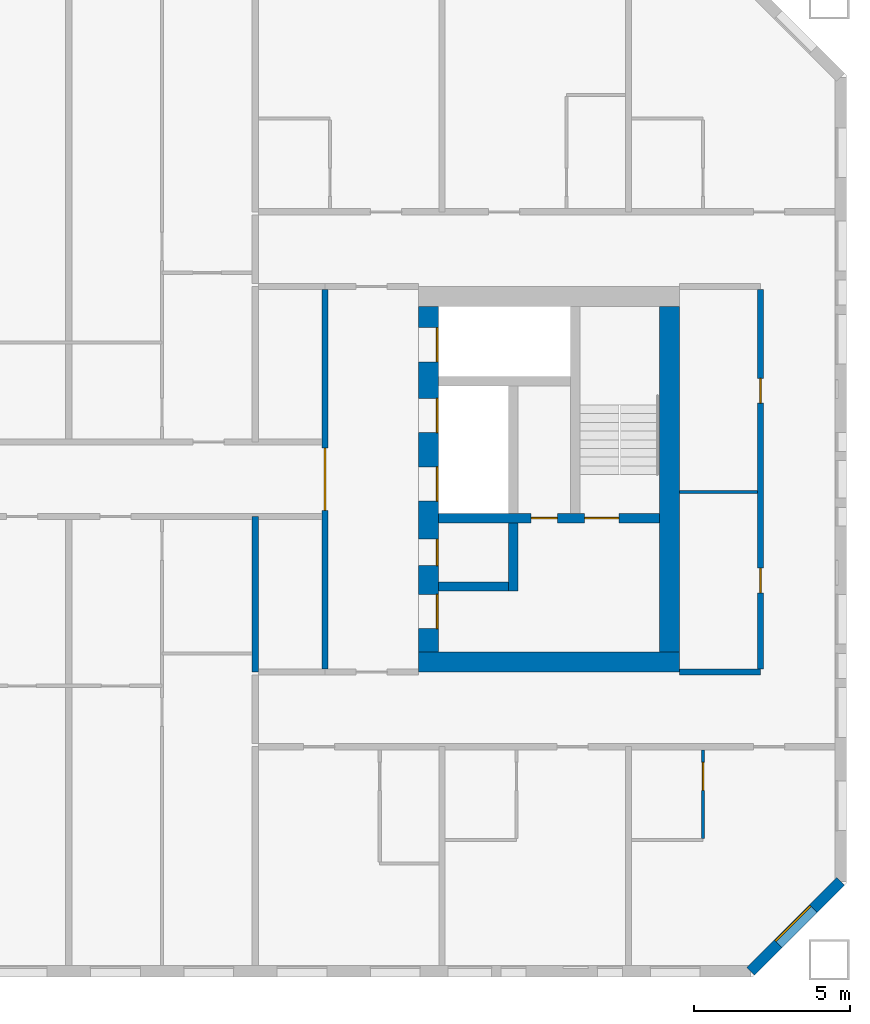
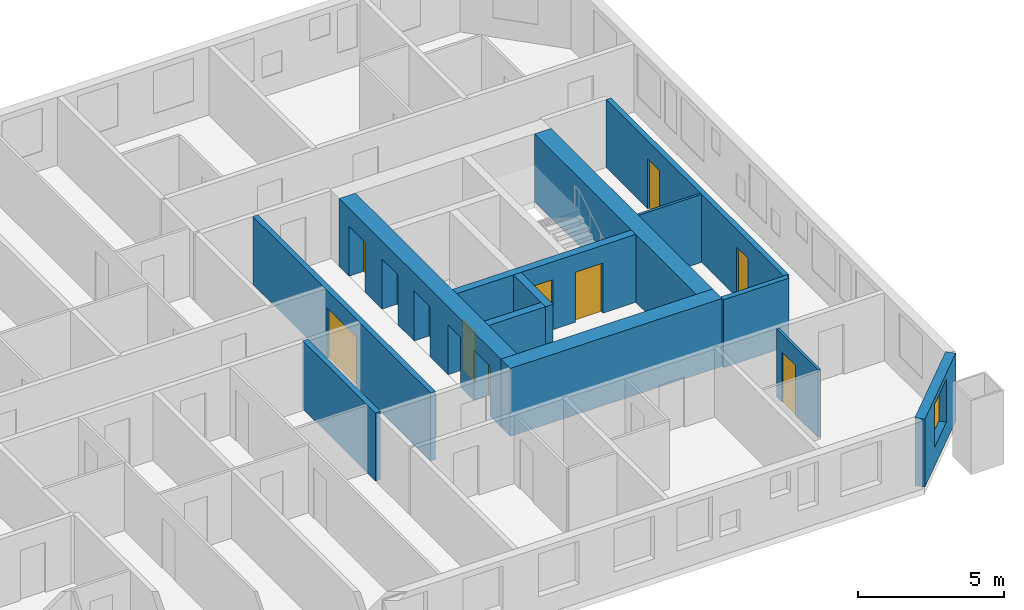
# One storey, part 13 of 17: 13 walls, 11 doors, 1 window, 12 openings.
"""IFC4 building model written with IfcOpenShell, lengths in metres."""

from ifc_helpers import new_model, si_unit, direction, frame, frame_2d, origin, place, context, subcontext, project, spatial, rectangle, extrude, material, layer, layer_set, type_object, element, fill, save


model = new_model("IFC4")

# Units and contexts
model_context = context("Model", 3, precision=1e-05, world=origin(), true_north=direction((0.0, 1.0)))
body_context = subcontext(model_context, "Body", "Model", "MODEL_VIEW")
ifc_project = project(units=[si_unit("LENGTHUNIT", "METRE"), si_unit("AREAUNIT", "SQUARE_METRE"), si_unit("VOLUMEUNIT", "CUBIC_METRE"), si_unit("PLANEANGLEUNIT", "RADIAN"), si_unit("MASSUNIT", "GRAM", prefix="KILO")], contexts=[model_context])

# Site, building, storey
site_placement = place(None, origin())
site = spatial("IfcSite", under=ifc_project, at=site_placement, CompositionType="ELEMENT")
building_placement = place(site_placement, origin())
building = spatial("IfcBuilding", under=site, at=building_placement, Name="Tuart Gate Housing", CompositionType="ELEMENT")
storey_placement = place(building_placement, frame((0.0, 0.0, 102.60009765625)))
storey = spatial("IfcBuildingStorey", under=building, at=storey_placement, Name="L28", CompositionType="ELEMENT", Elevation=102.60009765625)

# Wall, opening, window
ifc_material_1 = material(Name="Brick", Category="masonry")
ifc_layer_1 = layer(ifc_material_1, 0.360107421875)
ifc_layer_set_1 = layer_set([ifc_layer_1], Name="Brick pier and spandrel wall 360")
wall_type_1 = type_object("IfcWallType", Name="Brick pier and spandrel wall 360", PredefinedType="STANDARD", material=ifc_layer_set_1)
wall_1_placement = place(storey_placement, frame((170.92529296875, 54.179931640625, 0.0), z_axis=(0.0, 0.0, 1.0), x_axis=(0.707106781187, 0.707106781187, 0.0)))
wall_1 = element("IfcWall", 1, at=wall_1_placement, inside=storey, type_object=wall_type_1, Name="External wall B-SE L28", PredefinedType="STANDARD", context=body_context, shape_type="SweptSolid", body=[
    extrude(rectangle(XDim=4.09375, YDim=0.360107421875, at=frame_2d((2.046875, 0.0))), origin(), (0.0, 0.0, 1.0), 2.849853515625),
])
opening_1_placement = place(wall_1_placement, frame((1.2470703125, 0.0, 0.800048828125)))
opening_1 = element("IfcOpeningElement", 2, at=opening_1_placement, cuts=wall_1, Name="Opening W1", PredefinedType="OPENING", context=body_context, shape_type="SweptSolid", body=[
    extrude(rectangle(XDim=1.60009765625, YDim=1.800048828125, at=frame_2d((0.800048828125, 0.89990234375))), frame((0.0, 0.18994140625, 0.0), z_axis=(0.0, -1.0, 0.0), x_axis=(1.0, 0.0, 0.0)), (0.0, 0.0, 1.0), 0.380126953125),
])
ifc_material_2 = material(Name="Aluminium frame with clear glass", Category="aluminium")
window_type = type_object("IfcWindowType", Name="Punched window 1600 x 1800", PartitioningType="SINGLE_PANEL", PredefinedType="WINDOW", material=ifc_material_2)
window_placement = place(opening_1_placement, origin())
window = element("IfcWindow", 3, at=window_placement, inside=storey, type_object=window_type, Name="Window W1", OverallHeight=1.800048828125, OverallWidth=1.60009765625, PartitioningType="SINGLE_PANEL", PredefinedType="WINDOW", context=body_context, shape_type="SweptSolid", body=[
    extrude(rectangle(XDim=1.60009765625, YDim=1.800048828125, at=frame_2d((0.800048828125, 0.89990234375))), frame((0.0, 0.150146484375, 0.0), z_axis=(0.0, -1.0, 0.0), x_axis=(1.0, 0.0, 0.0)), (0.0, 0.0, 1.0), 0.06005859375),
])
fill(opening_1, window)

# Wall, openings, doors
ifc_material_3 = material(Name="Concrete C50", Category="concrete")
ifc_layer_2 = layer(ifc_material_3, 0.300048828125)
ifc_layer_set_2 = layer_set([ifc_layer_2], Name="Core wall 300 C50")
wall_type_2 = type_object("IfcWallType", Name="Core wall 300 C50", PredefinedType="SHEAR", material=ifc_layer_set_2)
wall_2_placement = place(storey_placement, frame((160.889892578125, 68.75, 0.0), z_axis=(0.0, 0.0, 1.0), x_axis=(1.0, 0.0, 0.0)))
wall_2 = element("IfcWall", 4, at=wall_2_placement, inside=storey, type_object=wall_type_2, Name="Core wall BK.2", PredefinedType="SHEAR", context=body_context, shape_type="SweptSolid", body=[
    extrude(rectangle(XDim=7.10009765625, YDim=0.300048828125, at=frame_2d((3.550048828125, 0.0))), origin(), (0.0, 0.0, 1.0), 2.849853515625),
])
opening_2_placement = place(wall_2_placement, frame((4.699951171875, 0.0, 0.0)))
opening_2 = element("IfcOpeningElement", 5, at=opening_2_placement, cuts=wall_2, Name="Opening D1159", PredefinedType="OPENING", context=body_context, shape_type="SweptSolid", body=[
    extrude(rectangle(XDim=1.10009765625, YDim=2.10009765625, at=frame_2d((0.550048828125, 1.050048828125))), frame((0.0, 0.159912109375, 0.0), z_axis=(0.0, -1.0, 0.0), x_axis=(1.0, 0.0, 0.0)), (0.0, 0.0, 1.0), 0.320068359375),
])
opening_3_placement = place(wall_2_placement, frame((2.97509765625, 0.0, 0.0)))
opening_3 = element("IfcOpeningElement", 6, at=opening_3_placement, cuts=wall_2, Name="Opening D1158", PredefinedType="OPENING", context=body_context, shape_type="SweptSolid", body=[
    extrude(rectangle(XDim=0.85009765625, YDim=2.10009765625, at=frame_2d((0.425048828125, 1.050048828125))), frame((0.0, 0.159912109375, 0.0), z_axis=(0.0, -1.0, 0.0), x_axis=(1.0, 0.0, 0.0)), (0.0, 0.0, 1.0), 0.320068359375),
])
ifc_material_4 = material(Name="Steel fire door", Category="steel")
door_type_1 = type_object("IfcDoorType", Name="Riser door 850 x 2100", OperationType="SINGLE_SWING_LEFT", PredefinedType="DOOR", material=ifc_material_4)
door_1_placement = place(opening_3_placement, origin())
door_1 = element("IfcDoor", 7, at=door_1_placement, inside=storey, type_object=door_type_1, Name="Service room door BK.W1", OperationType="SINGLE_SWING_LEFT", OverallHeight=2.10009765625, OverallWidth=0.85009765625, PredefinedType="DOOR", context=body_context, shape_type="SweptSolid", body=[
    extrude(rectangle(XDim=0.85009765625, YDim=2.10009765625, at=frame_2d((0.425048828125, 1.050048828125))), frame((0.0, 0.02490234375, 0.0), z_axis=(0.0, -1.0, 0.0), x_axis=(1.0, 0.0, 0.0)), (0.0, 0.0, 1.0), 0.050048828125),
])
fill(opening_3, door_1)
ifc_material_5 = material(Name="Steel fire door", Category="steel")
door_type_2 = type_object("IfcDoorType", Name="Stair door 1100 x 2100", OperationType="SINGLE_SWING_LEFT", PredefinedType="DOOR", material=ifc_material_5)
door_2_placement = place(opening_2_placement, origin())
door_2 = element("IfcDoor", 8, at=door_2_placement, inside=storey, type_object=door_type_2, Name="Stair door BK.SD", OperationType="SINGLE_SWING_LEFT", OverallHeight=2.10009765625, OverallWidth=1.10009765625, PredefinedType="DOOR", context=body_context, shape_type="SweptSolid", body=[
    extrude(rectangle(XDim=1.10009765625, YDim=2.10009765625, at=frame_2d((0.550048828125, 1.050048828125))), frame((0.0, 0.02490234375, 0.0), z_axis=(0.0, -1.0, 0.0), x_axis=(1.0, 0.0, 0.0)), (0.0, 0.0, 1.0), 0.050048828125),
])
fill(opening_2, door_2)

# Walls
wall_3_placement = place(storey_placement, frame((160.889892578125, 66.550048828125, 0.0), z_axis=(0.0, 0.0, 1.0), x_axis=(1.0, 0.0, 0.0)))
element("IfcWall", 9, at=wall_3_placement, inside=storey, type_object=wall_type_2, Name="Core wall BK.3", PredefinedType="SHEAR", context=body_context, shape_type="SweptSolid", body=[
    extrude(rectangle(XDim=2.25, YDim=0.300048828125, at=frame_2d((1.125, 0.0))), origin(), (0.0, 0.0, 1.0), 2.849853515625),
])
wall_4_placement = place(storey_placement, frame((163.2900390625, 68.60009765625, 0.0), z_axis=(0.0, 0.0, 1.0), x_axis=(0.0, -1.0, 0.0)))
element("IfcWall", 10, at=wall_4_placement, inside=storey, type_object=wall_type_2, Name="Core wall BK.5", PredefinedType="SHEAR", context=body_context, shape_type="SweptSolid", body=[
    extrude(rectangle(XDim=2.2001953125, YDim=0.300048828125, at=frame_2d((1.10009765625, 0.0))), origin(), (0.0, 0.0, 1.0), 2.849853515625),
])

# Wall, openings, doors
ifc_material_6 = material(Name="Concrete C50", Category="concrete")
ifc_layer_3 = layer(ifc_material_6, 0.64990234375)
ifc_layer_set_3 = layer_set([ifc_layer_3], Name="Core wall 650 C50")
wall_type_3 = type_object("IfcWallType", Name="Core wall 650 C50", PredefinedType="SHEAR", material=ifc_layer_set_3)
wall_5_placement = place(storey_placement, frame((160.56494140625, 75.550048828125, 0.0), z_axis=(0.0, 0.0, 1.0), x_axis=(0.0, -1.0, 0.0)))
wall_5 = element("IfcWall", 11, at=wall_5_placement, inside=storey, type_object=wall_type_3, Name="Core wall BK front", PredefinedType="SHEAR", context=body_context, shape_type="SweptSolid", body=[
    extrude(rectangle(XDim=11.10009765625, YDim=0.64990234375, at=frame_2d((5.550048828125, 0.0))), origin(), (0.0, 0.0, 1.0), 2.849853515625),
])
opening_4_placement = place(wall_5_placement, frame((0.675048828125, 0.0, 0.0)))
opening_4 = element("IfcOpeningElement", 12, at=opening_4_placement, cuts=wall_5, Name="Opening LD-FB2", PredefinedType="OPENING", context=body_context, shape_type="SweptSolid", body=[
    extrude(rectangle(XDim=1.10009765625, YDim=2.10009765625, at=frame_2d((0.550048828125, 1.050048828125))), frame((0.0, 0.3349609375, 0.0), z_axis=(0.0, -1.0, 0.0), x_axis=(1.0, 0.0, 0.0)), (0.0, 0.0, 1.0), 0.669921875),
])
opening_5_placement = place(wall_5_placement, frame((2.949951171875, 0.0, 0.0)))
opening_5 = element("IfcOpeningElement", 13, at=opening_5_placement, cuts=wall_5, Name="Opening LD-LB3", PredefinedType="OPENING", context=body_context, shape_type="SweptSolid", body=[
    extrude(rectangle(XDim=1.10009765625, YDim=2.10009765625, at=frame_2d((0.550048828125, 1.050048828125))), frame((0.0, 0.3349609375, 0.0), z_axis=(0.0, -1.0, 0.0), x_axis=(1.0, 0.0, 0.0)), (0.0, 0.0, 1.0), 0.669921875),
])
opening_6_placement = place(wall_5_placement, frame((5.14990234375, 0.0, 0.0)))
opening_6 = element("IfcOpeningElement", 14, at=opening_6_placement, cuts=wall_5, Name="Opening LD-LB4", PredefinedType="OPENING", context=body_context, shape_type="SweptSolid", body=[
    extrude(rectangle(XDim=1.10009765625, YDim=2.10009765625, at=frame_2d((0.550048828125, 1.050048828125))), frame((0.0, 0.3349609375, 0.0), z_axis=(0.0, -1.0, 0.0), x_axis=(1.0, 0.0, 0.0)), (0.0, 0.0, 1.0), 0.669921875),
])
opening_7_placement = place(wall_5_placement, frame((9.25, 0.0, 0.0)))
opening_7 = element("IfcOpeningElement", 15, at=opening_7_placement, cuts=wall_5, Name="Opening D1151", PredefinedType="OPENING", context=body_context, shape_type="SweptSolid", body=[
    extrude(rectangle(XDim=1.10009765625, YDim=2.10009765625, at=frame_2d((0.550048828125, 1.050048828125))), frame((0.0, 0.3349609375, 0.0), z_axis=(0.0, -1.0, 0.0), x_axis=(1.0, 0.0, 0.0)), (0.0, 0.0, 1.0), 0.669921875),
])
opening_8_placement = place(wall_5_placement, frame((7.47509765625, 0.0, 0.0)))
opening_8 = element("IfcOpeningElement", 16, at=opening_8_placement, cuts=wall_5, Name="Opening D1152", PredefinedType="OPENING", context=body_context, shape_type="SweptSolid", body=[
    extrude(rectangle(XDim=0.85009765625, YDim=2.10009765625, at=frame_2d((0.425048828125, 1.050048828125))), frame((0.0, 0.3349609375, 0.0), z_axis=(0.0, -1.0, 0.0), x_axis=(1.0, 0.0, 0.0)), (0.0, 0.0, 1.0), 0.669921875),
])
ifc_material_7 = material(Name="Stainless steel", Category="steel")
door_type_3 = type_object("IfcDoorType", Name="Landing door 1100 x 2100", OperationType="DOUBLE_DOOR_SLIDING", PredefinedType="DOOR", material=ifc_material_7)
door_3_placement = place(opening_4_placement, origin())
door_3 = element("IfcDoor", 17, at=door_3_placement, inside=storey, type_object=door_type_3, Name="Lift landing door FB2", OperationType="DOUBLE_DOOR_SLIDING", OverallHeight=2.10009765625, OverallWidth=1.10009765625, PredefinedType="DOOR", context=body_context, shape_type="SweptSolid", body=[
    extrude(rectangle(XDim=1.10009765625, YDim=2.10009765625, at=frame_2d((0.550048828125, 1.050048828125))), frame((0.0, 0.31005859375, 0.0), z_axis=(0.0, -1.0, 0.0), x_axis=(1.0, 0.0, 0.0)), (0.0, 0.0, 1.0), 0.050048828125),
])
fill(opening_4, door_3)
door_4_placement = place(opening_5_placement, origin())
door_4 = element("IfcDoor", 18, at=door_4_placement, inside=storey, type_object=door_type_3, Name="Lift landing door LB3", OperationType="DOUBLE_DOOR_SLIDING", OverallHeight=2.10009765625, OverallWidth=1.10009765625, PredefinedType="DOOR", context=body_context, shape_type="SweptSolid", body=[
    extrude(rectangle(XDim=1.10009765625, YDim=2.10009765625, at=frame_2d((0.550048828125, 1.050048828125))), frame((0.0, 0.31005859375, 0.0), z_axis=(0.0, -1.0, 0.0), x_axis=(1.0, 0.0, 0.0)), (0.0, 0.0, 1.0), 0.050048828125),
])
fill(opening_5, door_4)
door_5_placement = place(opening_6_placement, origin())
door_5 = element("IfcDoor", 19, at=door_5_placement, inside=storey, type_object=door_type_3, Name="Lift landing door LB4", OperationType="DOUBLE_DOOR_SLIDING", OverallHeight=2.10009765625, OverallWidth=1.10009765625, PredefinedType="DOOR", context=body_context, shape_type="SweptSolid", body=[
    extrude(rectangle(XDim=1.10009765625, YDim=2.10009765625, at=frame_2d((0.550048828125, 1.050048828125))), frame((0.0, 0.31005859375, 0.0), z_axis=(0.0, -1.0, 0.0), x_axis=(1.0, 0.0, 0.0)), (0.0, 0.0, 1.0), 0.050048828125),
])
fill(opening_6, door_5)
ifc_material_8 = material(Name="Steel fire door", Category="steel")
door_type_4 = type_object("IfcDoorType", Name="Lobby door 1100 x 2100", OperationType="SINGLE_SWING_LEFT", PredefinedType="DOOR", material=ifc_material_8)
door_6_placement = place(opening_7_placement, origin())
door_6 = element("IfcDoor", 20, at=door_6_placement, inside=storey, type_object=door_type_4, Name="Lobby entry door BK.EN", OperationType="SINGLE_SWING_LEFT", OverallHeight=2.10009765625, OverallWidth=1.10009765625, PredefinedType="DOOR", context=body_context, shape_type="SweptSolid", body=[
    extrude(rectangle(XDim=1.10009765625, YDim=2.10009765625, at=frame_2d((0.550048828125, 1.050048828125))), frame((0.0, 0.31005859375, 0.0), z_axis=(0.0, -1.0, 0.0), x_axis=(1.0, 0.0, 0.0)), (0.0, 0.0, 1.0), 0.050048828125),
])
fill(opening_7, door_6)
ifc_material_9 = material(Name="Steel fire door", Category="steel")
door_type_5 = type_object("IfcDoorType", Name="Service door 850 x 2100", OperationType="SINGLE_SWING_LEFT", PredefinedType="DOOR", material=ifc_material_9)
door_7_placement = place(opening_8_placement, origin())
door_7 = element("IfcDoor", 21, at=door_7_placement, inside=storey, type_object=door_type_5, Name="Service room door BK.T1", OperationType="SINGLE_SWING_LEFT", OverallHeight=2.10009765625, OverallWidth=0.85009765625, PredefinedType="DOOR", context=body_context, shape_type="SweptSolid", body=[
    extrude(rectangle(XDim=0.85009765625, YDim=2.10009765625, at=frame_2d((0.425048828125, 1.050048828125))), frame((0.0, 0.31005859375, 0.0), z_axis=(0.0, -1.0, 0.0), x_axis=(1.0, 0.0, 0.0)), (0.0, 0.0, 1.0), 0.050048828125),
])
fill(opening_8, door_7)

# Walls
wall_6_placement = place(storey_placement, frame((168.31494140625, 75.550048828125, 0.0), z_axis=(0.0, 0.0, 1.0), x_axis=(0.0, -1.0, 0.0)))
element("IfcWall", 22, at=wall_6_placement, inside=storey, type_object=wall_type_3, Name="Core wall BK back", PredefinedType="SHEAR", context=body_context, shape_type="SweptSolid", body=[
    extrude(rectangle(XDim=11.10009765625, YDim=0.64990234375, at=frame_2d((5.550048828125, 0.0))), origin(), (0.0, 0.0, 1.0), 2.849853515625),
])
wall_7_placement = place(storey_placement, frame((160.239990234375, 64.125, 0.0), z_axis=(0.0, 0.0, 1.0), x_axis=(1.0, 0.0, 0.0)))
element("IfcWall", 23, at=wall_7_placement, inside=storey, type_object=wall_type_3, Name="Core wall BK north", PredefinedType="SHEAR", context=body_context, shape_type="SweptSolid", body=[
    extrude(rectangle(XDim=8.39990234375, YDim=0.64990234375, at=frame_2d((4.199951171875, 0.0))), origin(), (0.0, 0.0, 1.0), 2.849853515625),
])
ifc_material_10 = material(Name="Concrete masonry 15 MPa", Category="masonry")
ifc_layer_4 = layer(ifc_material_10, 0.199951171875)
ifc_layer_set_4 = layer_set([ifc_layer_4], Name="Corridor wall masonry 200")
wall_type_4 = type_object("IfcWallType", Name="Corridor wall masonry 200", PredefinedType="PARTITIONING", material=ifc_layer_set_4)
wall_8_placement = place(storey_placement, frame((168.639892578125, 63.800048828125, 0.0), z_axis=(0.0, 0.0, 1.0), x_axis=(1.0, 0.0, 0.0)))
element("IfcWall", 24, at=wall_8_placement, inside=storey, type_object=wall_type_4, Name="Corridor wall masonry 200", PredefinedType="PARTITIONING", context=body_context, shape_type="SweptSolid", body=[
    extrude(rectangle(XDim=2.60009765625, YDim=0.199951171875, at=frame_2d((1.300048828125, 0.0))), origin(), (0.0, 0.0, 1.0), 2.849853515625),
])

# Wall, openings, doors
wall_9_placement = place(storey_placement, frame((171.239990234375, 63.89990234375, 0.0), z_axis=(0.0, 0.0, 1.0), x_axis=(0.0, 1.0, 0.0)))
wall_9 = element("IfcWall", 25, at=wall_9_placement, inside=storey, type_object=wall_type_4, Name="Corridor wall masonry 200", PredefinedType="PARTITIONING", context=body_context, shape_type="SweptSolid", body=[
    extrude(rectangle(XDim=12.2001953125, YDim=0.199951171875, at=frame_2d((6.10009765625, 0.0))), origin(), (0.0, 0.0, 1.0), 2.849853515625),
])
opening_9_placement = place(wall_9_placement, frame((2.445068359375, 0.0, 0.0)))
opening_9 = element("IfcOpeningElement", 26, at=opening_9_placement, cuts=wall_9, Name="Opening D1153", PredefinedType="OPENING", context=body_context, shape_type="SweptSolid", body=[
    extrude(rectangle(XDim=0.800048828125, YDim=2.10009765625, at=frame_2d((0.39990234375, 1.050048828125))), frame((0.0, 0.10986328125, 0.0), z_axis=(0.0, -1.0, 0.0), x_axis=(1.0, 0.0, 0.0)), (0.0, 0.0, 1.0), 0.219970703125),
])
opening_10_placement = place(wall_9_placement, frame((8.544921875, 0.0, 0.0)))
opening_10 = element("IfcOpeningElement", 27, at=opening_10_placement, cuts=wall_9, Name="Opening D1154", PredefinedType="OPENING", context=body_context, shape_type="SweptSolid", body=[
    extrude(rectangle(XDim=0.800048828125, YDim=2.10009765625, at=frame_2d((0.39990234375, 1.050048828125))), frame((0.0, 0.10986328125, 0.0), z_axis=(0.0, -1.0, 0.0), x_axis=(1.0, 0.0, 0.0)), (0.0, 0.0, 1.0), 0.219970703125),
])
ifc_material_11 = material(Name="Timber door leaf in steel frame", Category="steel")
door_type_6 = type_object("IfcDoorType", Name="Store door 800", OperationType="SINGLE_SWING_LEFT", PredefinedType="DOOR", material=ifc_material_11)
door_8_placement = place(opening_10_placement, origin())
door_8 = element("IfcDoor", 28, at=door_8_placement, inside=storey, type_object=door_type_6, Name="Store door", OperationType="SINGLE_SWING_LEFT", OverallHeight=2.10009765625, OverallWidth=0.800048828125, PredefinedType="DOOR", context=body_context, shape_type="SweptSolid", body=[
    extrude(rectangle(XDim=0.800048828125, YDim=2.10009765625, at=frame_2d((0.39990234375, 1.050048828125))), frame((0.0, 0.02490234375, 0.0), z_axis=(0.0, -1.0, 0.0), x_axis=(1.0, 0.0, 0.0)), (0.0, 0.0, 1.0), 0.050048828125),
])
fill(opening_10, door_8)
ifc_material_12 = material(Name="Timber door leaf in steel frame", Category="steel")
door_type_7 = type_object("IfcDoorType", Name="Store door 800 RH", OperationType="SINGLE_SWING_RIGHT", PredefinedType="DOOR", material=ifc_material_12)
door_9_placement = place(opening_9_placement, origin())
door_9 = element("IfcDoor", 29, at=door_9_placement, inside=storey, type_object=door_type_7, Name="Store door", OperationType="SINGLE_SWING_RIGHT", OverallHeight=2.10009765625, OverallWidth=0.800048828125, PredefinedType="DOOR", context=body_context, shape_type="SweptSolid", body=[
    extrude(rectangle(XDim=0.800048828125, YDim=2.10009765625, at=frame_2d((0.39990234375, 1.050048828125))), frame((0.0, 0.02490234375, 0.0), z_axis=(0.0, -1.0, 0.0), x_axis=(1.0, 0.0, 0.0)), (0.0, 0.0, 1.0), 0.050048828125),
])
fill(opening_9, door_9)

# Wall, opening, door
ifc_material_13 = material(Name="Plasterboard partition")
ifc_layer_5 = layer(ifc_material_13, 0.199951171875)
ifc_layer_set_5 = layer_set([ifc_layer_5], Name="Lobby wall 200")
wall_type_5 = type_object("IfcWallType", Name="Lobby wall 200", PredefinedType="PARTITIONING", material=ifc_layer_set_5)
wall_10_placement = place(storey_placement, frame((157.239990234375, 63.89990234375, 0.0), z_axis=(0.0, 0.0, 1.0), x_axis=(0.0, 1.0, 0.0)))
wall_10 = element("IfcWall", 30, at=wall_10_placement, inside=storey, type_object=wall_type_5, Name="Lift lobby wall BK", PredefinedType="PARTITIONING", context=body_context, shape_type="SweptSolid", body=[
    extrude(rectangle(XDim=12.2001953125, YDim=0.199951171875, at=frame_2d((6.10009765625, 0.0))), origin(), (0.0, 0.0, 1.0), 2.849853515625),
])
opening_11_placement = place(wall_10_placement, frame((5.10009765625, 0.0, 0.0)))
opening_11 = element("IfcOpeningElement", 31, at=opening_11_placement, cuts=wall_10, Name="Opening D1150", PredefinedType="OPENING", context=body_context, shape_type="SweptSolid", body=[
    extrude(rectangle(XDim=2.0, YDim=2.10009765625, at=frame_2d((1.0, 1.050048828125))), frame((0.0, 0.10986328125, 0.0), z_axis=(0.0, -1.0, 0.0), x_axis=(1.0, 0.0, 0.0)), (0.0, 0.0, 1.0), 0.219970703125),
])
ifc_material_14 = material(Name="Steel fire door", Category="steel")
door_type_8 = type_object("IfcDoorType", Name="Smoke door 2000 x 2100", OperationType="DOUBLE_DOOR_SINGLE_SWING", PredefinedType="DOOR", material=ifc_material_14)
door_10_placement = place(opening_11_placement, frame((2.0, 0.0, 0.0), z_axis=(0.0, 0.0, 1.0), x_axis=(-1.0, 0.0, 0.0)))
door_10 = element("IfcDoor", 32, at=door_10_placement, inside=storey, type_object=door_type_8, Name="Lift lobby smoke door BK", OperationType="DOUBLE_DOOR_SINGLE_SWING", OverallHeight=2.10009765625, OverallWidth=2.0, PredefinedType="DOOR", context=body_context, shape_type="SweptSolid", body=[
    extrude(rectangle(XDim=2.0, YDim=2.10009765625, at=frame_2d((1.0, 1.050048828125))), frame((0.0, 0.025146484375, 0.0), z_axis=(0.0, -1.0, 0.0), x_axis=(1.0, 0.0, 0.0)), (0.0, 0.0, 1.0), 0.050048828125),
])
fill(opening_11, door_10)

# Wall
ifc_material_15 = material(Name="Gypsum board on steel studs", Category="steel")
ifc_layer_6 = layer(ifc_material_15, 0.10009765625)
ifc_layer_set_6 = layer_set([ifc_layer_6], Name="Partition 100")
wall_type_6 = type_object("IfcWallType", Name="Partition 100", PredefinedType="PARTITIONING", material=ifc_layer_set_6)
wall_11_placement = place(storey_placement, frame((168.639892578125, 69.590087890625, 0.0), z_axis=(0.0, 0.0, 1.0), x_axis=(1.0, 0.0, 0.0)))
element("IfcWall", 33, at=wall_11_placement, inside=storey, type_object=wall_type_6, Name="Partition 100", PredefinedType="PARTITIONING", context=body_context, shape_type="SweptSolid", body=[
    extrude(rectangle(XDim=2.5, YDim=0.10009765625, at=frame_2d((1.25, 0.0))), origin(), (0.0, 0.0, 1.0), 2.849853515625),
])

# Wall, opening, door
wall_12_placement = place(storey_placement, frame((169.39990234375, 58.449951171875, 0.0), z_axis=(0.0, 0.0, 1.0), x_axis=(0.0, 1.0, 0.0)))
wall_12 = element("IfcWall", 34, at=wall_12_placement, inside=storey, type_object=wall_type_6, Name="Partition 100", PredefinedType="PARTITIONING", context=body_context, shape_type="SweptSolid", body=[
    extrude(rectangle(XDim=2.85009765625, YDim=0.10009765625, at=frame_2d((1.425048828125, 0.0))), origin(), (0.0, 0.0, 1.0), 2.849853515625),
])
opening_12_placement = place(wall_12_placement, frame((1.550048828125, 0.0, 0.0)))
opening_12 = element("IfcOpeningElement", 35, at=opening_12_placement, cuts=wall_12, Name="Opening D1174", PredefinedType="OPENING", context=body_context, shape_type="SweptSolid", body=[
    extrude(rectangle(XDim=0.89990234375, YDim=2.10009765625, at=frame_2d((0.449951171875, 1.050048828125))), frame((0.0, 0.06005859375, 0.0), z_axis=(0.0, -1.0, 0.0), x_axis=(1.0, 0.0, 0.0)), (0.0, 0.0, 1.0), 0.1201171875),
])
ifc_material_16 = material(Name="Timber door leaf in steel frame", Category="steel")
door_type_9 = type_object("IfcDoorType", Name="Bathroom door 900 RH", OperationType="SINGLE_SWING_RIGHT", PredefinedType="DOOR", material=ifc_material_16)
door_11_placement = place(opening_12_placement, origin())
door_11 = element("IfcDoor", 36, at=door_11_placement, inside=storey, type_object=door_type_9, Name="Bathroom door", OperationType="SINGLE_SWING_RIGHT", OverallHeight=2.10009765625, OverallWidth=0.89990234375, PredefinedType="DOOR", context=body_context, shape_type="SweptSolid", body=[
    extrude(rectangle(XDim=0.89990234375, YDim=2.10009765625, at=frame_2d((0.449951171875, 1.050048828125))), frame((0.0, 0.02490234375, 0.0), z_axis=(0.0, -1.0, 0.0), x_axis=(1.0, 0.0, 0.0)), (0.0, 0.0, 1.0), 0.050048828125),
])
fill(opening_12, door_11)

# Wall
ifc_material_17 = material(Name="Concrete C40", Category="concrete")
ifc_layer_7 = layer(ifc_material_17, 0.199951171875)
ifc_layer_set_7 = layer_set([ifc_layer_7], Name="Party wall concrete C40 200")
wall_type_7 = type_object("IfcWallType", Name="Party wall concrete C40 200", PredefinedType="SOLIDWALL", material=ifc_layer_set_7)
wall_13_placement = place(storey_placement, frame((155.0, 63.800048828125, 0.0), z_axis=(0.0, 0.0, 1.0), x_axis=(0.0, 1.0, 0.0)))
element("IfcWall", 37, at=wall_13_placement, inside=storey, type_object=wall_type_7, Name="Party wall concrete C40 200", PredefinedType="SOLIDWALL", context=body_context, shape_type="SweptSolid", body=[
    extrude(rectangle(XDim=5.0, YDim=0.199951171875, at=frame_2d((2.5, 0.0))), origin(), (0.0, 0.0, 1.0), 2.849853515625),
])

save(model, "model.ifc")
